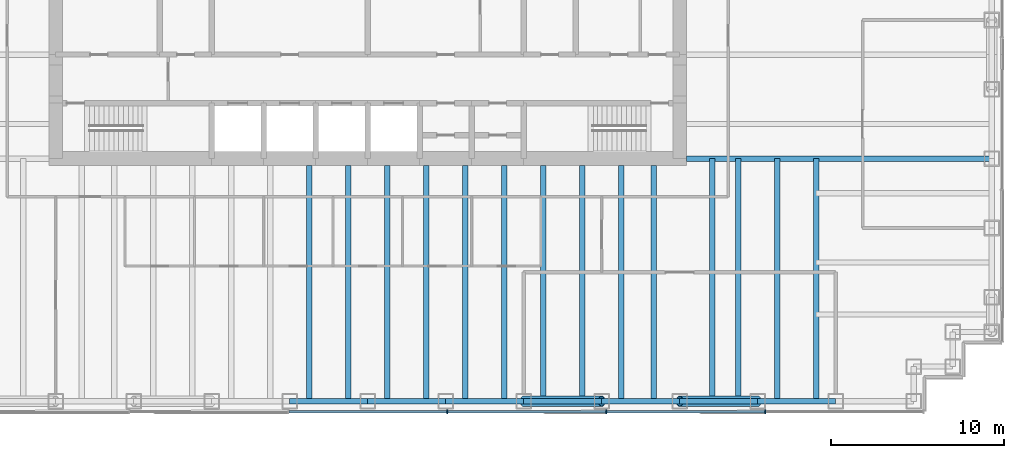
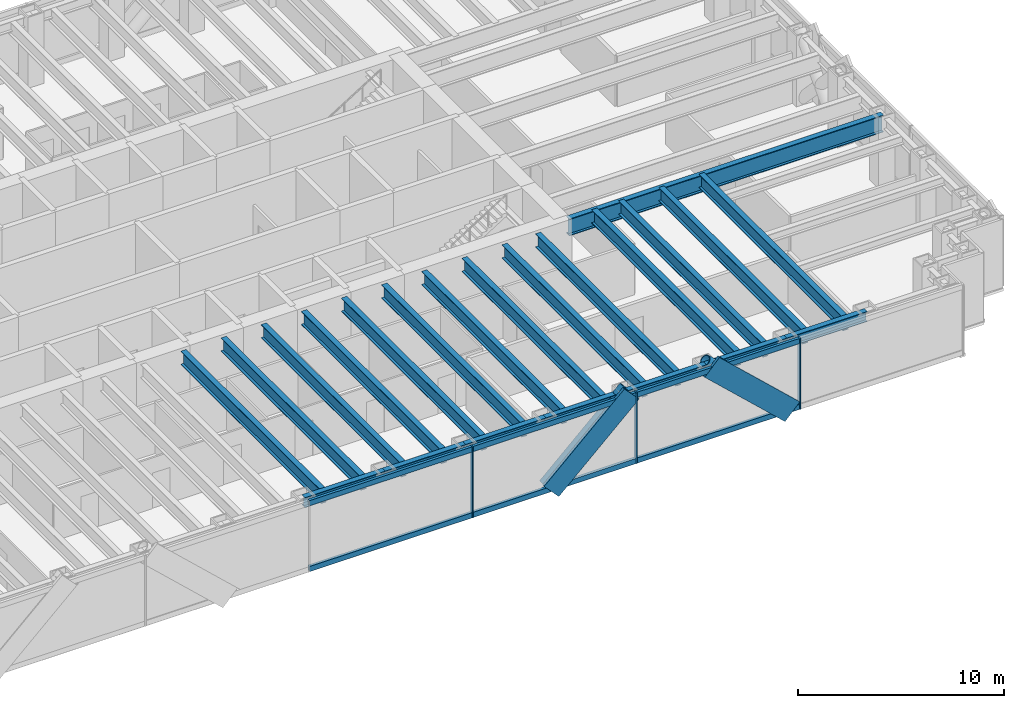
# One storey, part 3 of 14: 22 beams, 13 members, 1 element without a shape of its own.
"""IFC4 building model written with IfcOpenShell, lengths in metres."""

from ifc_helpers import new_model, si_unit, direction, frame, origin, origin_2d, place, context, subcontext, project, spatial, rectangle, hollow_circle, i_section, extrude, material, material_profile, profile_set, type_object, element, aggregate, save


model = new_model("IFC4")

# Units and contexts
model_context = context("Model", 3, precision=1e-05, world=origin(), true_north=direction((0.0, 1.0)))
body_context = subcontext(model_context, "Body", "Model", "MODEL_VIEW")
ifc_project = project(units=[si_unit("LENGTHUNIT", "METRE"), si_unit("AREAUNIT", "SQUARE_METRE"), si_unit("VOLUMEUNIT", "CUBIC_METRE"), si_unit("PLANEANGLEUNIT", "RADIAN"), si_unit("MASSUNIT", "GRAM", prefix="KILO")], contexts=[model_context])

# Site, building, storey
site_placement = place(None, origin())
site = spatial("IfcSite", under=ifc_project, at=site_placement, CompositionType="ELEMENT")
building_placement = place(site_placement, origin())
building = spatial("IfcBuilding", under=site, at=building_placement, Name="Rheinbord Bourse Tower", CompositionType="ELEMENT")
storey_placement = place(building_placement, frame((0.0, 0.0, 253.0)))
storey = spatial("IfcBuildingStorey", under=building, at=storey_placement, Name="L57", CompositionType="ELEMENT", Elevation=253.0)

# Curtain wall, members
ifc_material_1 = material(Name="Dark glass and black aluminium", Category="aluminium")
curtain_wall_type = type_object("IfcCurtainWallType", Name="CW2 DARK GLASS CURTAIN WALL", PredefinedType="USERDEFINED", material=ifc_material_1)
curtain_wall_placement = place(storey_placement, origin())
curtain_wall = element("IfcCurtainWall", 1, at=curtain_wall_placement, inside=storey, type_object=curtain_wall_type, Name="Curtain wall CW2 S L57", ObjectType="UNITISED CURTAIN WALL", PredefinedType="USERDEFINED")
ifc_material_2 = material(Name="Black anodised aluminium", Category="aluminium")
ifc_material_profile_1 = material_profile(ifc_material_2, rectangle(XDim=0.159912109375, YDim=1.2099609375, at=origin_2d()), Name="CW2 DIAGONAL MULLION 1210x160")
ifc_profile_set_1 = profile_set([ifc_material_profile_1], Name="Black anodised aluminium")
member_type_1 = type_object("IfcMemberType", Name="CW2 BLACK DIAGONAL MULLION", PredefinedType="USERDEFINED", material=ifc_profile_set_1)
member_1_placement = place(storey_placement, frame((58.5, 1.39990234375, 0.0), z_axis=(-0.73105922506, 0.0, 0.682314010889), x_axis=(0.0, -1.0, 0.0)))
member_1 = element("IfcMember", 2, at=member_1_placement, type_object=member_type_1, Name="CW2 diagonal mullion b", ObjectType="DIAGONAL MULLION", PredefinedType="USERDEFINED", context=body_context, shape_type="SweptSolid", body=[
    extrude(rectangle(XDim=0.159912109375, YDim=1.2099609375, at=origin_2d()), origin(), (0.0, 0.0, 1.0), 6.155517578125),
])
member_2_placement = place(storey_placement, frame((45.0, 1.39990234375, 0.0), z_axis=(0.73105922506, 0.0, 0.682314010889), x_axis=(0.0, 1.0, 0.0)))
member_2 = element("IfcMember", 3, at=member_2_placement, type_object=member_type_1, Name="CW2 diagonal mullion c", ObjectType="DIAGONAL MULLION", PredefinedType="USERDEFINED", context=body_context, shape_type="SweptSolid", body=[
    extrude(rectangle(XDim=0.159912109375, YDim=1.2099609375, at=origin_2d()), origin(), (0.0, 0.0, 1.0), 6.155517578125),
])
ifc_material_3 = material(Name="Black anodised aluminium", Category="aluminium")
ifc_material_profile_2 = material_profile(ifc_material_3, rectangle(XDim=0.219970703125, YDim=0.070068359375, at=origin_2d()), Name="CW2 MULLION 70x220")
ifc_profile_set_2 = profile_set([ifc_material_profile_2], Name="Black anodised aluminium")
member_type_2 = type_object("IfcMemberType", Name="CW2 BLACK MULLION", PredefinedType="MULLION", material=ifc_profile_set_2)
member_3_placement = place(storey_placement, frame((40.585693359375, 1.39990234375, 0.0), z_axis=(0.0, 0.0, 1.0), x_axis=(0.0, 1.0, 0.0)))
member_3 = element("IfcMember", 4, at=member_3_placement, type_object=member_type_2, Name="CW2 mullion 5", PredefinedType="MULLION", context=body_context, shape_type="SweptSolid", body=[
    extrude(rectangle(XDim=0.219970703125, YDim=0.070068359375, at=origin_2d()), origin(), (0.0, 0.0, 1.0), 4.199951171875),
])
member_4_placement = place(storey_placement, frame((49.757080078125, 1.39990234375, 0.0), z_axis=(0.0, 0.0, 1.0), x_axis=(0.0, 1.0, 0.0)))
member_4 = element("IfcMember", 5, at=member_4_placement, type_object=member_type_2, Name="CW2 mullion 6", PredefinedType="MULLION", context=body_context, shape_type="SweptSolid", body=[
    extrude(rectangle(XDim=0.219970703125, YDim=0.070068359375, at=origin_2d()), origin(), (0.0, 0.0, 1.0), 4.199951171875),
])
member_5_placement = place(storey_placement, frame((58.928466796875, 1.39990234375, 0.0), z_axis=(0.0, 0.0, 1.0), x_axis=(0.0, 1.0, 0.0)))
member_5 = element("IfcMember", 6, at=member_5_placement, type_object=member_type_2, Name="CW2 mullion 7", PredefinedType="MULLION", context=body_context, shape_type="SweptSolid", body=[
    extrude(rectangle(XDim=0.219970703125, YDim=0.070068359375, at=origin_2d()), origin(), (0.0, 0.0, 1.0), 4.199951171875),
])
ifc_material_4 = material(Name="Black anodised aluminium", Category="aluminium")
ifc_material_profile_3 = material_profile(ifc_material_4, rectangle(XDim=0.159912109375, YDim=0.300048828125, at=origin_2d()), Name="CW2 TRANSOM 300x160")
ifc_profile_set_3 = profile_set([ifc_material_profile_3], Name="Black anodised aluminium")
member_type_3 = type_object("IfcMemberType", Name="CW2 BLACK TRANSOM", PredefinedType="USERDEFINED", material=ifc_profile_set_3)
member_6_placement = place(storey_placement, frame((31.44921875, 1.39990234375, 0.14990234375), z_axis=(1.0, 0.0, 0.0), x_axis=(0.0, 1.0, 0.0)))
member_6 = element("IfcMember", 7, at=member_6_placement, type_object=member_type_3, Name="CW2 transom 4.1", ObjectType="TRANSOM", PredefinedType="USERDEFINED", context=body_context, shape_type="SweptSolid", body=[
    extrude(rectangle(XDim=0.159912109375, YDim=0.300048828125, at=origin_2d()), origin(), (0.0, 0.0, 1.0), 9.1015625),
])
member_7_placement = place(storey_placement, frame((31.44921875, 1.39990234375, 4.050048828125), z_axis=(1.0, 0.0, 0.0), x_axis=(0.0, 1.0, 0.0)))
member_7 = element("IfcMember", 8, at=member_7_placement, type_object=member_type_3, Name="CW2 transom 4.2", ObjectType="TRANSOM", PredefinedType="USERDEFINED", context=body_context, shape_type="SweptSolid", body=[
    extrude(rectangle(XDim=0.159912109375, YDim=0.300048828125, at=origin_2d()), origin(), (0.0, 0.0, 1.0), 9.1015625),
])
member_8_placement = place(storey_placement, frame((40.62060546875, 1.39990234375, 0.14990234375), z_axis=(1.0, 0.0, 0.0), x_axis=(0.0, 1.0, 0.0)))
member_8 = element("IfcMember", 9, at=member_8_placement, type_object=member_type_3, Name="CW2 transom 5.1", ObjectType="TRANSOM", PredefinedType="USERDEFINED", context=body_context, shape_type="SweptSolid", body=[
    extrude(rectangle(XDim=0.159912109375, YDim=0.300048828125, at=origin_2d()), origin(), (0.0, 0.0, 1.0), 9.1015625),
])
member_9_placement = place(storey_placement, frame((40.62060546875, 1.39990234375, 4.050048828125), z_axis=(1.0, 0.0, 0.0), x_axis=(0.0, 1.0, 0.0)))
member_9 = element("IfcMember", 10, at=member_9_placement, type_object=member_type_3, Name="CW2 transom 5.2", ObjectType="TRANSOM", PredefinedType="USERDEFINED", context=body_context, shape_type="SweptSolid", body=[
    extrude(rectangle(XDim=0.159912109375, YDim=0.300048828125, at=origin_2d()), origin(), (0.0, 0.0, 1.0), 9.1015625),
])
member_10_placement = place(storey_placement, frame((49.792236328125, 1.39990234375, 0.14990234375), z_axis=(1.0, 0.0, 0.0), x_axis=(0.0, 1.0, 0.0)))
member_10 = element("IfcMember", 11, at=member_10_placement, type_object=member_type_3, Name="CW2 transom 6.1", ObjectType="TRANSOM", PredefinedType="USERDEFINED", context=body_context, shape_type="SweptSolid", body=[
    extrude(rectangle(XDim=0.159912109375, YDim=0.300048828125, at=origin_2d()), origin(), (0.0, 0.0, 1.0), 9.101318359375),
])
member_11_placement = place(storey_placement, frame((49.792236328125, 1.39990234375, 4.050048828125), z_axis=(1.0, 0.0, 0.0), x_axis=(0.0, 1.0, 0.0)))
member_11 = element("IfcMember", 12, at=member_11_placement, type_object=member_type_3, Name="CW2 transom 6.2", ObjectType="TRANSOM", PredefinedType="USERDEFINED", context=body_context, shape_type="SweptSolid", body=[
    extrude(rectangle(XDim=0.159912109375, YDim=0.300048828125, at=origin_2d()), origin(), (0.0, 0.0, 1.0), 9.101318359375),
])
aggregate(curtain_wall, [member_3, member_4, member_5, member_6, member_7, member_8, member_9, member_10, member_11, member_1, member_2])

# Beams
ifc_material_5 = material(Name="Steel S460", Category="steel")
ifc_material_profile_4 = material_profile(ifc_material_5, i_section(OverallWidth=0.300048828125, OverallDepth=0.800048828125, WebThickness=0.017578125, FlangeThickness=0.032958984375, at=origin_2d()), Name="HEB 800")
ifc_profile_set_4 = profile_set([ifc_material_profile_4], Name="Steel S460")
beam_type_1 = type_object("IfcBeamType", Name="FLOOR BEAM HEB 800", PredefinedType="BEAM", material=ifc_profile_set_4)
for number, where, z_axis, x_axis, name in (
    (13, (32.625, 2.0, 3.639892578125), (0.0, 1.0, 0.0), (-1.0, 0.0, 0.0), "Floor beam S-31.5a L58"),
    (14, (34.875, 2.0, 3.639892578125), (0.0, 1.0, 0.0), (-1.0, 0.0, 0.0), "Floor beam S-31.5b L58"),
    (15, (37.125, 2.0, 3.639892578125), (0.0, 1.0, 0.0), (-1.0, 0.0, 0.0), "Floor beam S-36a L58"),
    (16, (39.375, 2.0, 3.639892578125), (0.0, 1.0, 0.0), (-1.0, 0.0, 0.0), "Floor beam S-36b L58"),
    (17, (41.625, 2.0, 3.639892578125), (0.0, 1.0, 0.0), (-1.0, 0.0, 0.0), "Floor beam S-40.5a L58"),
    (18, (43.875, 2.0, 3.639892578125), (0.0, 1.0, 0.0), (-1.0, 0.0, 0.0), "Floor beam S-40.5b L58"),
    (19, (46.125, 2.0, 3.639892578125), (0.0, 1.0, 0.0), (-1.0, 0.0, 0.0), "Floor beam S-45a L58"),
    (20, (48.375, 2.0, 3.639892578125), (0.0, 1.0, 0.0), (-1.0, 0.0, 0.0), "Floor beam S-45b L58"),
    (21, (50.625, 2.0, 3.639892578125), (0.0, 1.0, 0.0), (-1.0, 0.0, 0.0), "Floor beam S-49.5a L58"),
    (22, (52.5, 2.0, 3.639892578125), (0.0, 1.0, 0.0), (-1.0, 0.0, 0.0), "Floor beam S-49.5b L58"),
):
    element("IfcBeam", number, at=place(storey_placement, frame(where, z_axis=z_axis, x_axis=x_axis)), inside=storey, type_object=beam_type_1, Name=name, PredefinedType="BEAM", context=body_context, shape_type="SweptSolid", body=[
        extrude(i_section(OverallWidth=0.300048828125, OverallDepth=0.800048828125, WebThickness=0.017578125, FlangeThickness=0.032958984375, at=origin_2d()), origin(), (0.0, 0.0, 1.0), 13.60009765625),
    ])
for number, where, z_axis, x_axis, name in (
    (23, (55.875, 2.0, 3.639892578125), (0.0, 1.0, 0.0), (-1.0, 0.0, 0.0), "Floor beam S-54a L58"),
    (24, (57.375, 2.0, 3.639892578125), (0.0, 1.0, 0.0), (-1.0, 0.0, 0.0), "Floor beam S-54b L58"),
    (25, (59.625, 2.0, 3.639892578125), (0.0, 1.0, 0.0), (-1.0, 0.0, 0.0), "Floor beam S-58.5a L58"),
    (26, (61.875, 2.0, 3.639892578125), (0.0, 1.0, 0.0), (-1.0, 0.0, 0.0), "Floor beam S-58.5b L58"),
):
    element("IfcBeam", number, at=place(storey_placement, frame(where, z_axis=z_axis, x_axis=x_axis)), inside=storey, type_object=beam_type_1, Name=name, PredefinedType="BEAM", context=body_context, shape_type="SweptSolid", body=[
        extrude(i_section(OverallWidth=0.300048828125, OverallDepth=0.800048828125, WebThickness=0.017578125, FlangeThickness=0.032958984375, at=origin_2d()), origin(), (0.0, 0.0, 1.0), 14.0),
    ])
ifc_material_6 = material(Name="Steel S460", Category="steel")
ifc_material_profile_5 = material_profile(ifc_material_6, i_section(OverallWidth=0.302001953125, OverallDepth=1.008056640625, WebThickness=0.02099609375, FlangeThickness=0.0400390625, at=origin_2d()), Name="HEM 1000")
ifc_profile_set_5 = profile_set([ifc_material_profile_5], Name="Steel S460")
beam_type_2 = type_object("IfcBeamType", Name="GIRDER HEM 1000", PredefinedType="BEAM", material=ifc_profile_set_5)
beam_placement = place(storey_placement, frame((54.39990234375, 16.0, 3.535888671875), z_axis=(1.0, 0.0, 0.0), x_axis=(0.0, 1.0, 0.0)))
element("IfcBeam", 27, at=beam_placement, inside=storey, type_object=beam_type_2, Name="Girder east 16 L58", PredefinedType="BEAM", context=body_context, shape_type="SweptSolid", body=[
    extrude(i_section(OverallWidth=0.302001953125, OverallDepth=1.008056640625, WebThickness=0.02099609375, FlangeThickness=0.0400390625, at=origin_2d()), origin(), (0.0, 0.0, 1.0), 17.60009765625),
])

# Members
ifc_material_7 = material(Name="Steel S460", Category="steel")
ifc_material_profile_6 = material_profile(ifc_material_7, hollow_circle(Radius=0.304931640625, WallThickness=0.0400390625, at=origin_2d()), Name="CHS 610x40")
ifc_profile_set_6 = profile_set([ifc_material_profile_6], Name="Steel S460")
member_type_4 = type_object("IfcMemberType", Name="MEGABRACE CHS 610x40", PredefinedType="BRACE", material=ifc_profile_set_6)
for number, where, z_axis, x_axis, name in (
    (28, (58.5, 2.0, 0.0), (-0.73105922506, 0.0, 0.682314010889), (0.0, -1.0, 0.0), "Megabrace S face line b L57"),
    (29, (45.0, 2.0, 0.0), (0.73105922506, 0.0, 0.682314010889), (0.0, 1.0, 0.0), "Megabrace S face line c L57"),
):
    element("IfcMember", number, at=place(storey_placement, frame(where, z_axis=z_axis, x_axis=x_axis)), inside=storey, type_object=member_type_4, Name=name, PredefinedType="BRACE", context=body_context, shape_type="SweptSolid", body=[
        extrude(hollow_circle(Radius=0.304931640625, WallThickness=0.0400390625, at=origin_2d()), origin(), (0.0, 0.0, 1.0), 6.155517578125),
    ])

# Beams
ifc_material_8 = material(Name="Steel S460", Category="steel")
ifc_material_profile_7 = material_profile(ifc_material_8, i_section(OverallWidth=0.300048828125, OverallDepth=0.60009765625, WebThickness=0.015380859375, FlangeThickness=0.030029296875, at=origin_2d()), Name="HEB 600")
ifc_profile_set_7 = profile_set([ifc_material_profile_7], Name="Steel S460")
beam_type_3 = type_object("IfcBeamType", Name="SPANDREL HEB 600", PredefinedType="SPANDREL", material=ifc_profile_set_7)
for number, where, z_axis, x_axis, name in (
    (30, (31.5, 2.0, 3.739990234375), (1.0, 0.0, 0.0), (0.0, 1.0, 0.0), "Spandrel S-31.5-S-36 under L58"),
    (31, (36.0, 2.0, 3.739990234375), (1.0, 0.0, 0.0), (0.0, 1.0, 0.0), "Spandrel S-36-S-40.5 under L58"),
    (32, (40.5, 2.0, 3.739990234375), (1.0, 0.0, 0.0), (0.0, 1.0, 0.0), "Spandrel S-40.5-S-45 under L58"),
    (33, (45.0, 2.0, 3.739990234375), (1.0, 0.0, 0.0), (0.0, 1.0, 0.0), "Spandrel S-45-S-49.5 under L58"),
    (34, (49.5, 2.0, 3.739990234375), (1.0, 0.0, 0.0), (0.0, 1.0, 0.0), "Spandrel S-49.5-S-54 under L58"),
    (35, (54.0, 2.0, 3.739990234375), (1.0, 0.0, 0.0), (0.0, 1.0, 0.0), "Spandrel S-54-S-58.5 under L58"),
    (36, (58.5, 2.0, 3.739990234375), (1.0, 0.0, 0.0), (0.0, 1.0, 0.0), "Spandrel S-58.5-S-63 under L58"),
):
    element("IfcBeam", number, at=place(storey_placement, frame(where, z_axis=z_axis, x_axis=x_axis)), inside=storey, type_object=beam_type_3, Name=name, PredefinedType="SPANDREL", context=body_context, shape_type="SweptSolid", body=[
        extrude(i_section(OverallWidth=0.300048828125, OverallDepth=0.60009765625, WebThickness=0.015380859375, FlangeThickness=0.030029296875, at=origin_2d()), origin(), (0.0, 0.0, 1.0), 4.5),
    ])

save(model, "model.ifc")
